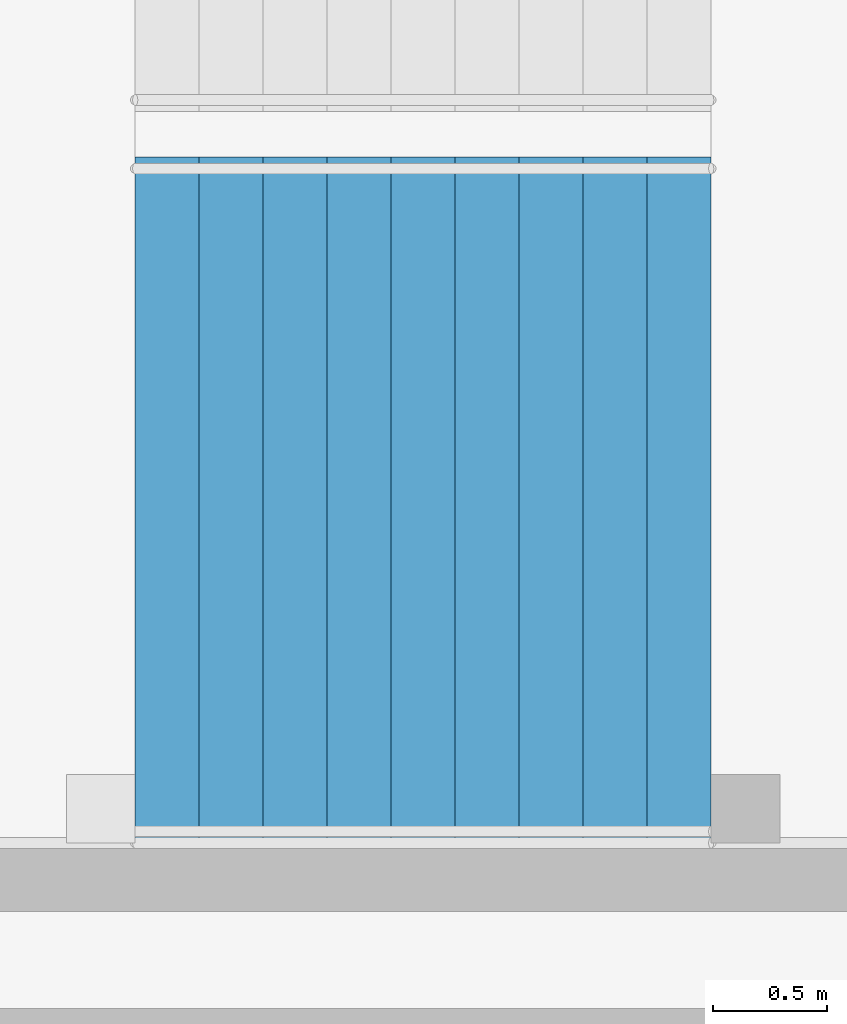
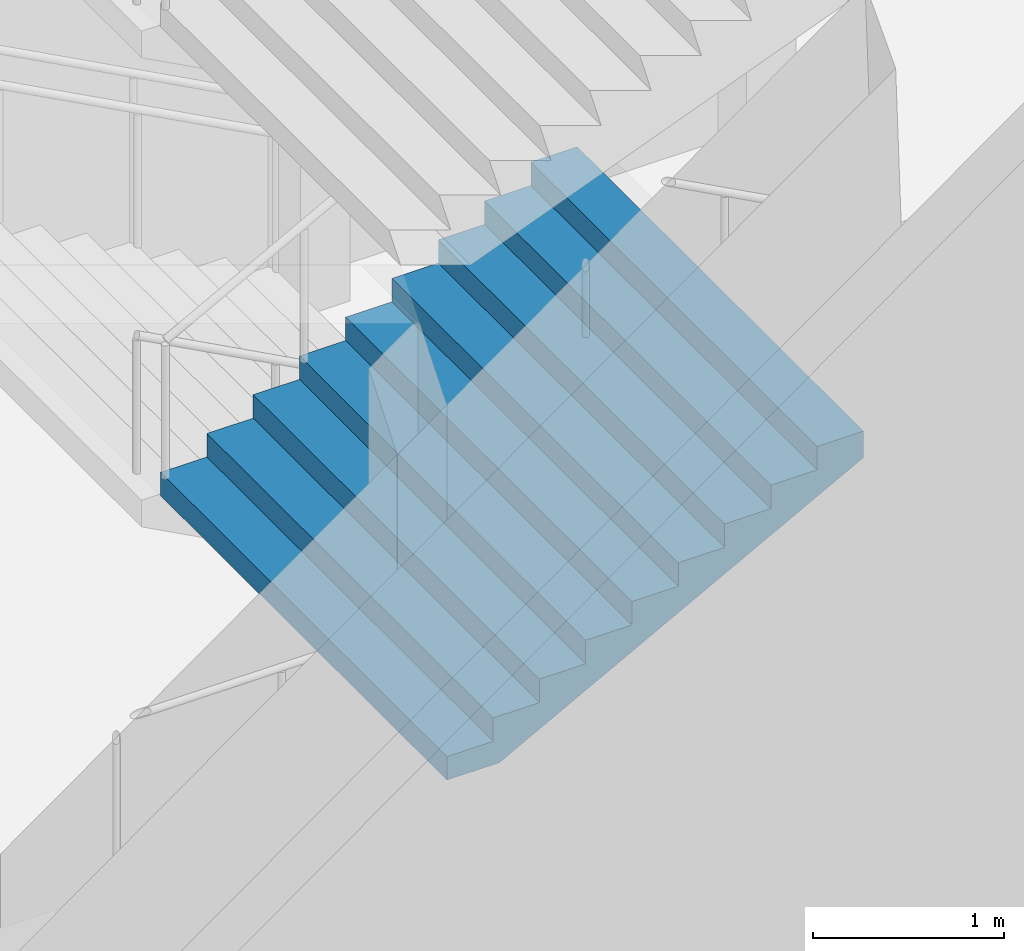
# One storey, part 80 of 100: 1 stair flight, 1 element without a shape of its own.
"""IFC4 building model written with IfcOpenShell, lengths in metres."""

from ifc_helpers import new_model, si_unit, direction, frame, origin, place, context, subcontext, project, spatial, triangles, material, type_object, element, aggregate, save


model = new_model("IFC4")

# Units and contexts
model_context = context("Model", 3, precision=1e-05, world=origin(), true_north=direction((0.0, 1.0)))
body_context = subcontext(model_context, "Body", "Model", "MODEL_VIEW")
ifc_project = project(units=[si_unit("LENGTHUNIT", "METRE"), si_unit("AREAUNIT", "SQUARE_METRE"), si_unit("VOLUMEUNIT", "CUBIC_METRE"), si_unit("PLANEANGLEUNIT", "RADIAN"), si_unit("MASSUNIT", "GRAM", prefix="KILO")], contexts=[model_context])

# Site, building, storey
site_placement = place(None, origin())
site = spatial("IfcSite", under=ifc_project, at=site_placement, CompositionType="ELEMENT")
building_placement = place(site_placement, origin())
building = spatial("IfcBuilding", under=site, at=building_placement, Name="Hakoniwa Tower and Hamabe Station Hall", CompositionType="ELEMENT")
storey_placement = place(building_placement, frame((0.0, 0.0, 9.0)))
storey = spatial("IfcBuildingStorey", under=building, at=storey_placement, Name="L02", CompositionType="ELEMENT", Elevation=9.0)

# Stair, stair flight
ifc_material_1 = material(Name="Concrete C40", Category="concrete")
stair_type = type_object("IfcStairType", Name="STAIR 3000 10X150", PredefinedType="HALF_TURN_STAIR", material=ifc_material_1)
stair_placement = place(storey_placement, origin())
stair = element("IfcStair", 1, at=stair_placement, inside=storey, type_object=stair_type, Name="Platform stair 1 L02-L03", PredefinedType="HALF_TURN_STAIR")
ifc_material_2 = material(Name="Concrete C40", Category="concrete")
stair_flight_type = type_object("IfcStairFlightType", Name="STAIR FLIGHT 3000", PredefinedType="STRAIGHT", material=ifc_material_2)
stair_flight_placement = place(storey_placement, frame((148.550048828125, -5.5, 1.5), z_axis=(0.0, 0.0, 1.0), x_axis=(1.0, 0.0, 0.0)))
stair_flight = element("IfcStairFlight", 2, at=stair_flight_placement, type_object=stair_flight_type, Name="PA1 flight 2", NumberOfRisers=10, NumberOfTreads=9, PredefinedType="STRAIGHT", RiserHeight=0.15, TreadLength=0.28, context=body_context, shape_type="Tessellation", body=[
    triangles([(0.0, 1.5, 0.0), (0.280029296875, 1.5, 0.0), (0.3173828125, 1.5, 0.0), (0.56005859375, 1.5, 0.1298828125), (0.840087890625, 1.5, 0.280029296875), (1.1201171875, 1.5, 0.429931640625), (1.39990234375, 1.5, 0.579833984375), (1.679931640625, 1.5, 0.72998046875), (1.9599609375, 1.5, 0.8798828125), (2.239990234375, 1.5, 1.030029296875), (2.52001953125, 1.5, 1.179931640625), (2.52001953125, 1.5, 1.35009765625), (2.239990234375, 1.5, 1.35009765625), (2.239990234375, 1.5, 1.199951171875), (1.9599609375, 1.5, 1.199951171875), (1.9599609375, 1.5, 1.050048828125), (1.679931640625, 1.5, 1.050048828125), (1.679931640625, 1.5, 0.89990234375), (1.39990234375, 1.5, 0.89990234375), (1.39990234375, 1.5, 0.75), (1.1201171875, 1.5, 0.75), (1.1201171875, 1.5, 0.60009765625), (0.840087890625, 1.5, 0.60009765625), (0.840087890625, 1.5, 0.449951171875), (0.56005859375, 1.5, 0.449951171875), (0.56005859375, 1.5, 0.300048828125), (0.3173828125, 1.5, 0.300048828125), (0.280029296875, 1.5, 0.300048828125), (0.280029296875, 1.5, 0.14990234375), (0.0, 1.5, 0.14990234375), (0.0, 0.06005859375, 0.0), (0.280029296875, 0.06005859375, 0.0), (0.3173828125, 0.06005859375, 0.0), (0.56005859375, 0.06005859375, 0.1298828125), (0.840087890625, 0.06005859375, 0.280029296875), (1.1201171875, 0.06005859375, 0.429931640625), (1.39990234375, 0.06005859375, 0.579833984375), (1.679931640625, 0.06005859375, 0.72998046875), (1.9599609375, 0.06005859375, 0.8798828125), (2.239990234375, 0.06005859375, 1.030029296875), (2.52001953125, 0.06005859375, 1.179931640625), (2.52001953125, 0.06005859375, 1.35009765625), (2.239990234375, 0.06005859375, 1.35009765625), (2.239990234375, 0.06005859375, 1.199951171875), (1.9599609375, 0.06005859375, 1.199951171875), (1.9599609375, 0.06005859375, 1.050048828125), (1.679931640625, 0.06005859375, 1.050048828125), (1.679931640625, 0.06005859375, 0.89990234375), (1.39990234375, 0.06005859375, 0.89990234375), (1.39990234375, 0.06005859375, 0.75), (1.1201171875, 0.06005859375, 0.75), (1.1201171875, 0.06005859375, 0.60009765625), (0.840087890625, 0.06005859375, 0.60009765625), (0.840087890625, 0.06005859375, 0.449951171875), (0.56005859375, 0.06005859375, 0.449951171875), (0.56005859375, 0.06005859375, 0.300048828125), (0.3173828125, 0.06005859375, 0.300048828125), (0.280029296875, 0.06005859375, 0.300048828125), (0.280029296875, 0.06005859375, 0.14990234375), (0.0, 0.06005859375, 0.14990234375), (0.0, 0.049072265625, 0.0), (0.280029296875, 0.049072265625, 0.0), (0.3173828125, 0.049072265625, 0.0), (0.56005859375, 0.049072265625, 0.1298828125), (0.840087890625, 0.049072265625, 0.280029296875), (1.1201171875, 0.049072265625, 0.429931640625), (1.39990234375, 0.049072265625, 0.579833984375), (1.679931640625, 0.049072265625, 0.72998046875), (1.9599609375, 0.049072265625, 0.8798828125), (2.239990234375, 0.049072265625, 1.030029296875), (2.52001953125, 0.049072265625, 1.179931640625), (2.52001953125, 0.049072265625, 1.35009765625), (2.239990234375, 0.049072265625, 1.35009765625), (2.239990234375, 0.049072265625, 1.199951171875), (1.9599609375, 0.049072265625, 1.199951171875), (1.9599609375, 0.049072265625, 1.050048828125), (1.679931640625, 0.049072265625, 1.050048828125), (1.679931640625, 0.049072265625, 0.89990234375), (1.39990234375, 0.049072265625, 0.89990234375), (1.39990234375, 0.049072265625, 0.75), (1.1201171875, 0.049072265625, 0.75), (1.1201171875, 0.049072265625, 0.60009765625), (0.840087890625, 0.049072265625, 0.60009765625), (0.840087890625, 0.049072265625, 0.449951171875), (0.56005859375, 0.049072265625, 0.449951171875), (0.56005859375, 0.049072265625, 0.300048828125), (0.3173828125, 0.049072265625, 0.300048828125), (0.280029296875, 0.049072265625, 0.300048828125), (0.280029296875, 0.049072265625, 0.14990234375), (0.0, 0.049072265625, 0.14990234375), (0.0, 0.0380859375, 0.0), (0.280029296875, 0.0380859375, 0.0), (0.3173828125, 0.0380859375, 0.0), (0.56005859375, 0.0380859375, 0.1298828125), (0.840087890625, 0.0380859375, 0.280029296875), (1.1201171875, 0.0380859375, 0.429931640625), (1.39990234375, 0.0380859375, 0.579833984375), (1.679931640625, 0.0380859375, 0.72998046875), (1.9599609375, 0.0380859375, 0.8798828125), (2.239990234375, 0.0380859375, 1.030029296875), (2.52001953125, 0.0380859375, 1.179931640625), (2.52001953125, 0.0380859375, 1.35009765625), (2.239990234375, 0.0380859375, 1.35009765625), (2.239990234375, 0.0380859375, 1.199951171875), (1.9599609375, 0.0380859375, 1.199951171875), (1.9599609375, 0.0380859375, 1.050048828125), (1.679931640625, 0.0380859375, 1.050048828125), (1.679931640625, 0.0380859375, 0.89990234375), (1.39990234375, 0.0380859375, 0.89990234375), (1.39990234375, 0.0380859375, 0.75), (1.1201171875, 0.0380859375, 0.75), (1.1201171875, 0.0380859375, 0.60009765625), (0.840087890625, 0.0380859375, 0.60009765625), (0.840087890625, 0.0380859375, 0.449951171875), (0.56005859375, 0.0380859375, 0.449951171875), (0.56005859375, 0.0380859375, 0.300048828125), (0.3173828125, 0.0380859375, 0.300048828125), (0.280029296875, 0.0380859375, 0.300048828125), (0.280029296875, 0.0380859375, 0.14990234375), (0.0, 0.0380859375, 0.14990234375), (0.0, 0.02734375, 0.0), (0.280029296875, 0.02734375, 0.0), (0.3173828125, 0.02734375, 0.0), (0.56005859375, 0.02734375, 0.1298828125), (0.840087890625, 0.02734375, 0.280029296875), (1.1201171875, 0.02734375, 0.429931640625), (1.39990234375, 0.02734375, 0.579833984375), (1.679931640625, 0.02734375, 0.72998046875), (1.9599609375, 0.02734375, 0.8798828125), (2.239990234375, 0.02734375, 1.030029296875), (2.52001953125, 0.02734375, 1.179931640625), (2.52001953125, 0.02734375, 1.35009765625), (2.239990234375, 0.02734375, 1.35009765625), (2.239990234375, 0.02734375, 1.199951171875), (1.9599609375, 0.02734375, 1.199951171875), (1.9599609375, 0.02734375, 1.050048828125), (1.679931640625, 0.02734375, 1.050048828125), (1.679931640625, 0.02734375, 0.89990234375), (1.39990234375, 0.02734375, 0.89990234375), (1.39990234375, 0.02734375, 0.75), (1.1201171875, 0.02734375, 0.75), (1.1201171875, 0.02734375, 0.60009765625), (0.840087890625, 0.02734375, 0.60009765625), (0.840087890625, 0.02734375, 0.449951171875), (0.56005859375, 0.02734375, 0.449951171875), (0.56005859375, 0.02734375, 0.300048828125), (0.3173828125, 0.02734375, 0.300048828125), (0.280029296875, 0.02734375, 0.300048828125), (0.280029296875, 0.02734375, 0.14990234375), (0.0, 0.02734375, 0.14990234375), (0.0, 0.016357421875, 0.0), (0.280029296875, 0.016357421875, 0.0), (0.3173828125, 0.016357421875, 0.0), (0.56005859375, 0.016357421875, 0.1298828125), (0.840087890625, 0.016357421875, 0.280029296875), (1.1201171875, 0.016357421875, 0.429931640625), (1.39990234375, 0.016357421875, 0.579833984375), (1.679931640625, 0.016357421875, 0.72998046875), (1.9599609375, 0.016357421875, 0.8798828125), (2.239990234375, 0.016357421875, 1.030029296875), (2.52001953125, 0.016357421875, 1.179931640625), (2.52001953125, 0.016357421875, 1.35009765625), (2.239990234375, 0.016357421875, 1.35009765625), (2.239990234375, 0.016357421875, 1.199951171875), (1.9599609375, 0.016357421875, 1.199951171875), (1.9599609375, 0.016357421875, 1.050048828125), (1.679931640625, 0.016357421875, 1.050048828125), (1.679931640625, 0.016357421875, 0.89990234375), (1.39990234375, 0.016357421875, 0.89990234375), (1.39990234375, 0.016357421875, 0.75), (1.1201171875, 0.016357421875, 0.75), (1.1201171875, 0.016357421875, 0.60009765625), (0.840087890625, 0.016357421875, 0.60009765625), (0.840087890625, 0.016357421875, 0.449951171875), (0.56005859375, 0.016357421875, 0.449951171875), (0.56005859375, 0.016357421875, 0.300048828125), (0.3173828125, 0.016357421875, 0.300048828125), (0.280029296875, 0.016357421875, 0.300048828125), (0.280029296875, 0.016357421875, 0.14990234375), (0.0, 0.016357421875, 0.14990234375), (0.0, 0.00537109375, 0.0), (0.280029296875, 0.00537109375, 0.0), (0.3173828125, 0.00537109375, 0.0), (0.56005859375, 0.00537109375, 0.1298828125), (0.840087890625, 0.00537109375, 0.280029296875), (1.1201171875, 0.00537109375, 0.429931640625), (1.39990234375, 0.00537109375, 0.579833984375), (1.679931640625, 0.00537109375, 0.72998046875), (1.9599609375, 0.00537109375, 0.8798828125), (2.239990234375, 0.00537109375, 1.030029296875), (2.52001953125, 0.00537109375, 1.179931640625), (2.52001953125, 0.00537109375, 1.35009765625), (2.239990234375, 0.00537109375, 1.35009765625), (2.239990234375, 0.00537109375, 1.199951171875), (1.9599609375, 0.00537109375, 1.199951171875), (1.9599609375, 0.00537109375, 1.050048828125), (1.679931640625, 0.00537109375, 1.050048828125), (1.679931640625, 0.00537109375, 0.89990234375), (1.39990234375, 0.00537109375, 0.89990234375), (1.39990234375, 0.00537109375, 0.75), (1.1201171875, 0.00537109375, 0.75), (1.1201171875, 0.00537109375, 0.60009765625), (0.840087890625, 0.00537109375, 0.60009765625), (0.840087890625, 0.00537109375, 0.449951171875), (0.56005859375, 0.00537109375, 0.449951171875), (0.56005859375, 0.00537109375, 0.300048828125), (0.3173828125, 0.00537109375, 0.300048828125), (0.280029296875, 0.00537109375, 0.300048828125), (0.280029296875, 0.00537109375, 0.14990234375), (0.0, 0.00537109375, 0.14990234375), (0.0, -0.00537109375, 0.0), (0.280029296875, -0.00537109375, 0.0), (0.3173828125, -0.00537109375, 0.0), (0.56005859375, -0.00537109375, 0.1298828125), (0.840087890625, -0.00537109375, 0.280029296875), (1.1201171875, -0.00537109375, 0.429931640625), (1.39990234375, -0.00537109375, 0.579833984375), (1.679931640625, -0.00537109375, 0.72998046875), (1.9599609375, -0.00537109375, 0.8798828125), (2.239990234375, -0.00537109375, 1.030029296875), (2.52001953125, -0.00537109375, 1.179931640625), (2.52001953125, -0.00537109375, 1.35009765625), (2.239990234375, -0.00537109375, 1.35009765625), (2.239990234375, -0.00537109375, 1.199951171875), (1.9599609375, -0.00537109375, 1.199951171875), (1.9599609375, -0.00537109375, 1.050048828125), (1.679931640625, -0.00537109375, 1.050048828125), (1.679931640625, -0.00537109375, 0.89990234375), (1.39990234375, -0.00537109375, 0.89990234375), (1.39990234375, -0.00537109375, 0.75), (1.1201171875, -0.00537109375, 0.75), (1.1201171875, -0.00537109375, 0.60009765625), (0.840087890625, -0.00537109375, 0.60009765625), (0.840087890625, -0.00537109375, 0.449951171875), (0.56005859375, -0.00537109375, 0.449951171875), (0.56005859375, -0.00537109375, 0.300048828125), (0.3173828125, -0.00537109375, 0.300048828125), (0.280029296875, -0.00537109375, 0.300048828125), (0.280029296875, -0.00537109375, 0.14990234375), (0.0, -0.00537109375, 0.14990234375), (0.0, -0.016357421875, 0.0), (0.280029296875, -0.016357421875, 0.0), (0.3173828125, -0.016357421875, 0.0), (0.56005859375, -0.016357421875, 0.1298828125), (0.840087890625, -0.016357421875, 0.280029296875), (1.1201171875, -0.016357421875, 0.429931640625), (1.39990234375, -0.016357421875, 0.579833984375), (1.679931640625, -0.016357421875, 0.72998046875), (1.9599609375, -0.016357421875, 0.8798828125), (2.239990234375, -0.016357421875, 1.030029296875), (2.52001953125, -0.016357421875, 1.179931640625), (2.52001953125, -0.016357421875, 1.35009765625), (2.239990234375, -0.016357421875, 1.35009765625), (2.239990234375, -0.016357421875, 1.199951171875), (1.9599609375, -0.016357421875, 1.199951171875), (1.9599609375, -0.016357421875, 1.050048828125), (1.679931640625, -0.016357421875, 1.050048828125), (1.679931640625, -0.016357421875, 0.89990234375), (1.39990234375, -0.016357421875, 0.89990234375), (1.39990234375, -0.016357421875, 0.75), (1.1201171875, -0.016357421875, 0.75), (1.1201171875, -0.016357421875, 0.60009765625), (0.840087890625, -0.016357421875, 0.60009765625), (0.840087890625, -0.016357421875, 0.449951171875), (0.56005859375, -0.016357421875, 0.449951171875), (0.56005859375, -0.016357421875, 0.300048828125), (0.3173828125, -0.016357421875, 0.300048828125), (0.280029296875, -0.016357421875, 0.300048828125), (0.280029296875, -0.016357421875, 0.14990234375), (0.0, -0.016357421875, 0.14990234375), (0.0, -0.02734375, 0.0), (0.280029296875, -0.02734375, 0.0), (0.3173828125, -0.02734375, 0.0), (0.56005859375, -0.02734375, 0.1298828125), (0.840087890625, -0.02734375, 0.280029296875), (1.1201171875, -0.02734375, 0.429931640625), (1.39990234375, -0.02734375, 0.579833984375), (1.679931640625, -0.02734375, 0.72998046875), (1.9599609375, -0.02734375, 0.8798828125), (2.239990234375, -0.02734375, 1.030029296875), (2.52001953125, -0.02734375, 1.179931640625), (2.52001953125, -0.02734375, 1.35009765625), (2.239990234375, -0.02734375, 1.35009765625), (2.239990234375, -0.02734375, 1.199951171875), (1.9599609375, -0.02734375, 1.199951171875), (1.9599609375, -0.02734375, 1.050048828125), (1.679931640625, -0.02734375, 1.050048828125), (1.679931640625, -0.02734375, 0.89990234375), (1.39990234375, -0.02734375, 0.89990234375), (1.39990234375, -0.02734375, 0.75), (1.1201171875, -0.02734375, 0.75), (1.1201171875, -0.02734375, 0.60009765625), (0.840087890625, -0.02734375, 0.60009765625), (0.840087890625, -0.02734375, 0.449951171875), (0.56005859375, -0.02734375, 0.449951171875), (0.56005859375, -0.02734375, 0.300048828125), (0.3173828125, -0.02734375, 0.300048828125), (0.280029296875, -0.02734375, 0.300048828125), (0.280029296875, -0.02734375, 0.14990234375), (0.0, -0.02734375, 0.14990234375), (0.0, -0.0380859375, 0.0), (0.280029296875, -0.0380859375, 0.0), (0.3173828125, -0.0380859375, 0.0), (0.56005859375, -0.0380859375, 0.1298828125), (0.840087890625, -0.0380859375, 0.280029296875), (1.1201171875, -0.0380859375, 0.429931640625), (1.39990234375, -0.0380859375, 0.579833984375), (1.679931640625, -0.0380859375, 0.72998046875), (1.9599609375, -0.0380859375, 0.8798828125), (2.239990234375, -0.0380859375, 1.030029296875), (2.52001953125, -0.0380859375, 1.179931640625), (2.52001953125, -0.0380859375, 1.35009765625), (2.239990234375, -0.0380859375, 1.35009765625), (2.239990234375, -0.0380859375, 1.199951171875), (1.9599609375, -0.0380859375, 1.199951171875), (1.9599609375, -0.0380859375, 1.050048828125), (1.679931640625, -0.0380859375, 1.050048828125), (1.679931640625, -0.0380859375, 0.89990234375), (1.39990234375, -0.0380859375, 0.89990234375), (1.39990234375, -0.0380859375, 0.75), (1.1201171875, -0.0380859375, 0.75), (1.1201171875, -0.0380859375, 0.60009765625), (0.840087890625, -0.0380859375, 0.60009765625), (0.840087890625, -0.0380859375, 0.449951171875), (0.56005859375, -0.0380859375, 0.449951171875), (0.56005859375, -0.0380859375, 0.300048828125), (0.3173828125, -0.0380859375, 0.300048828125), (0.280029296875, -0.0380859375, 0.300048828125), (0.280029296875, -0.0380859375, 0.14990234375), (0.0, -0.0380859375, 0.14990234375), (0.0, -0.049072265625, 0.0), (0.280029296875, -0.049072265625, 0.0), (0.3173828125, -0.049072265625, 0.0), (0.56005859375, -0.049072265625, 0.1298828125), (0.840087890625, -0.049072265625, 0.280029296875), (1.1201171875, -0.049072265625, 0.429931640625), (1.39990234375, -0.049072265625, 0.579833984375), (1.679931640625, -0.049072265625, 0.72998046875), (1.9599609375, -0.049072265625, 0.8798828125), (2.239990234375, -0.049072265625, 1.030029296875), (2.52001953125, -0.049072265625, 1.179931640625), (2.52001953125, -0.049072265625, 1.35009765625), (2.239990234375, -0.049072265625, 1.35009765625), (2.239990234375, -0.049072265625, 1.199951171875), (1.9599609375, -0.049072265625, 1.199951171875), (1.9599609375, -0.049072265625, 1.050048828125), (1.679931640625, -0.049072265625, 1.050048828125), (1.679931640625, -0.049072265625, 0.89990234375), (1.39990234375, -0.049072265625, 0.89990234375), (1.39990234375, -0.049072265625, 0.75), (1.1201171875, -0.049072265625, 0.75), (1.1201171875, -0.049072265625, 0.60009765625), (0.840087890625, -0.049072265625, 0.60009765625), (0.840087890625, -0.049072265625, 0.449951171875), (0.56005859375, -0.049072265625, 0.449951171875), (0.56005859375, -0.049072265625, 0.300048828125), (0.3173828125, -0.049072265625, 0.300048828125), (0.280029296875, -0.049072265625, 0.300048828125), (0.280029296875, -0.049072265625, 0.14990234375), (0.0, -0.049072265625, 0.14990234375), (0.0, -0.06005859375, 0.0), (0.280029296875, -0.06005859375, 0.0), (0.3173828125, -0.06005859375, 0.0), (0.56005859375, -0.06005859375, 0.1298828125), (0.840087890625, -0.06005859375, 0.280029296875), (1.1201171875, -0.06005859375, 0.429931640625), (1.39990234375, -0.06005859375, 0.579833984375), (1.679931640625, -0.06005859375, 0.72998046875), (1.9599609375, -0.06005859375, 0.8798828125), (2.239990234375, -0.06005859375, 1.030029296875), (2.52001953125, -0.06005859375, 1.179931640625), (2.52001953125, -0.06005859375, 1.35009765625), (2.239990234375, -0.06005859375, 1.35009765625), (2.239990234375, -0.06005859375, 1.199951171875), (1.9599609375, -0.06005859375, 1.199951171875), (1.9599609375, -0.06005859375, 1.050048828125), (1.679931640625, -0.06005859375, 1.050048828125), (1.679931640625, -0.06005859375, 0.89990234375), (1.39990234375, -0.06005859375, 0.89990234375), (1.39990234375, -0.06005859375, 0.75), (1.1201171875, -0.06005859375, 0.75), (1.1201171875, -0.06005859375, 0.60009765625), (0.840087890625, -0.06005859375, 0.60009765625), (0.840087890625, -0.06005859375, 0.449951171875), (0.56005859375, -0.06005859375, 0.449951171875), (0.56005859375, -0.06005859375, 0.300048828125), (0.3173828125, -0.06005859375, 0.300048828125), (0.280029296875, -0.06005859375, 0.300048828125), (0.280029296875, -0.06005859375, 0.14990234375), (0.0, -0.06005859375, 0.14990234375), (0.0, -1.5, 0.0), (0.280029296875, -1.5, 0.0), (0.3173828125, -1.5, 0.0), (0.56005859375, -1.5, 0.1298828125), (0.840087890625, -1.5, 0.280029296875), (1.1201171875, -1.5, 0.429931640625), (1.39990234375, -1.5, 0.579833984375), (1.679931640625, -1.5, 0.72998046875), (1.9599609375, -1.5, 0.8798828125), (2.239990234375, -1.5, 1.030029296875), (2.52001953125, -1.5, 1.179931640625), (2.52001953125, -1.5, 1.35009765625), (2.239990234375, -1.5, 1.35009765625), (2.239990234375, -1.5, 1.199951171875), (1.9599609375, -1.5, 1.199951171875), (1.9599609375, -1.5, 1.050048828125), (1.679931640625, -1.5, 1.050048828125), (1.679931640625, -1.5, 0.89990234375), (1.39990234375, -1.5, 0.89990234375), (1.39990234375, -1.5, 0.75), (1.1201171875, -1.5, 0.75), (1.1201171875, -1.5, 0.60009765625), (0.840087890625, -1.5, 0.60009765625), (0.840087890625, -1.5, 0.449951171875), (0.56005859375, -1.5, 0.449951171875), (0.56005859375, -1.5, 0.300048828125), (0.3173828125, -1.5, 0.300048828125), (0.280029296875, -1.5, 0.300048828125), (0.280029296875, -1.5, 0.14990234375), (0.0, -1.5, 0.14990234375)], [[2, 30, 29], [392, 419, 420], [2, 1, 30], [392, 420, 391], [3, 28, 27], [393, 417, 418], [3, 29, 28], [393, 418, 419], [3, 2, 29], [393, 419, 392], [4, 27, 26], [394, 416, 417], [4, 3, 27], [394, 417, 393], [5, 25, 24], [395, 414, 415], [5, 26, 25], [395, 415, 416], [5, 4, 26], [395, 416, 394], [6, 23, 22], [396, 412, 413], [6, 24, 23], [396, 413, 414], [6, 5, 24], [396, 414, 395], [7, 21, 20], [397, 410, 411], [7, 22, 21], [397, 411, 412], [7, 6, 22], [397, 412, 396], [8, 19, 18], [398, 408, 409], [8, 20, 19], [398, 409, 410], [8, 7, 20], [398, 410, 397], [9, 17, 16], [399, 406, 407], [9, 18, 17], [399, 407, 408], [9, 8, 18], [399, 408, 398], [10, 15, 14], [400, 404, 405], [10, 16, 15], [400, 405, 406], [10, 9, 16], [400, 406, 399], [11, 13, 12], [401, 402, 403], [11, 14, 13], [401, 403, 404], [11, 10, 14], [401, 404, 400], [1, 2, 32], [1, 32, 31], [31, 32, 62], [31, 62, 61], [61, 62, 92], [61, 92, 91], [91, 92, 122], [91, 122, 121], [121, 122, 152], [121, 152, 151], [151, 152, 182], [151, 182, 181], [181, 182, 212], [181, 212, 211], [211, 212, 242], [211, 242, 241], [241, 242, 272], [241, 272, 271], [271, 272, 302], [271, 302, 301], [301, 302, 332], [301, 332, 331], [331, 332, 362], [331, 362, 361], [361, 362, 392], [361, 392, 391], [2, 3, 33], [2, 33, 32], [32, 33, 63], [32, 63, 62], [62, 63, 93], [62, 93, 92], [92, 93, 123], [92, 123, 122], [122, 123, 153], [122, 153, 152], [152, 153, 183], [152, 183, 182], [182, 183, 213], [182, 213, 212], [212, 213, 243], [212, 243, 242], [242, 243, 273], [242, 273, 272], [272, 273, 303], [272, 303, 302], [302, 303, 333], [302, 333, 332], [332, 333, 363], [332, 363, 362], [362, 363, 393], [362, 393, 392], [3, 4, 34], [3, 34, 33], [33, 34, 64], [33, 64, 63], [63, 64, 94], [63, 94, 93], [93, 94, 124], [93, 124, 123], [123, 124, 154], [123, 154, 153], [153, 154, 184], [153, 184, 183], [183, 184, 214], [183, 214, 213], [213, 214, 244], [213, 244, 243], [243, 244, 274], [243, 274, 273], [273, 274, 304], [273, 304, 303], [303, 304, 334], [303, 334, 333], [333, 334, 364], [333, 364, 363], [363, 364, 394], [363, 394, 393], [4, 5, 35], [4, 35, 34], [34, 35, 65], [34, 65, 64], [64, 65, 95], [64, 95, 94], [94, 95, 125], [94, 125, 124], [124, 125, 155], [124, 155, 154], [154, 155, 185], [154, 185, 184], [184, 185, 215], [184, 215, 214], [214, 215, 245], [214, 245, 244], [244, 245, 275], [244, 275, 274], [274, 275, 305], [274, 305, 304], [304, 305, 335], [304, 335, 334], [334, 335, 365], [334, 365, 364], [364, 365, 395], [364, 395, 394], [5, 6, 36], [5, 36, 35], [35, 36, 66], [35, 66, 65], [65, 66, 96], [65, 96, 95], [95, 96, 126], [95, 126, 125], [125, 126, 156], [125, 156, 155], [155, 156, 186], [155, 186, 185], [185, 186, 216], [185, 216, 215], [215, 216, 246], [215, 246, 245], [245, 246, 276], [245, 276, 275], [275, 276, 306], [275, 306, 305], [305, 306, 336], [305, 336, 335], [335, 336, 366], [335, 366, 365], [365, 366, 396], [365, 396, 395], [6, 7, 37], [6, 37, 36], [36, 37, 67], [36, 67, 66], [66, 67, 97], [66, 97, 96], [96, 97, 127], [96, 127, 126], [126, 127, 157], [126, 157, 156], [156, 157, 187], [156, 187, 186], [186, 187, 217], [186, 217, 216], [216, 217, 247], [216, 247, 246], [246, 247, 277], [246, 277, 276], [276, 277, 307], [276, 307, 306], [306, 307, 337], [306, 337, 336], [336, 337, 367], [336, 367, 366], [366, 367, 397], [366, 397, 396], [7, 8, 38], [7, 38, 37], [37, 38, 68], [37, 68, 67], [67, 68, 98], [67, 98, 97], [97, 98, 128], [97, 128, 127], [127, 128, 158], [127, 158, 157], [157, 158, 188], [157, 188, 187], [187, 188, 218], [187, 218, 217], [217, 218, 248], [217, 248, 247], [247, 248, 278], [247, 278, 277], [277, 278, 308], [277, 308, 307], [307, 308, 338], [307, 338, 337], [337, 338, 368], [337, 368, 367], [367, 368, 398], [367, 398, 397], [8, 9, 39], [8, 39, 38], [38, 39, 69], [38, 69, 68], [68, 69, 99], [68, 99, 98], [98, 99, 129], [98, 129, 128], [128, 129, 159], [128, 159, 158], [158, 159, 189], [158, 189, 188], [188, 189, 219], [188, 219, 218], [218, 219, 249], [218, 249, 248], [248, 249, 279], [248, 279, 278], [278, 279, 309], [278, 309, 308], [308, 309, 339], [308, 339, 338], [338, 339, 369], [338, 369, 368], [368, 369, 399], [368, 399, 398], [9, 10, 40], [9, 40, 39], [39, 40, 70], [39, 70, 69], [69, 70, 100], [69, 100, 99], [99, 100, 130], [99, 130, 129], [129, 130, 160], [129, 160, 159], [159, 160, 190], [159, 190, 189], [189, 190, 220], [189, 220, 219], [219, 220, 250], [219, 250, 249], [249, 250, 280], [249, 280, 279], [279, 280, 310], [279, 310, 309], [309, 310, 340], [309, 340, 339], [339, 340, 370], [339, 370, 369], [369, 370, 400], [369, 400, 399], [10, 11, 41], [10, 41, 40], [40, 41, 71], [40, 71, 70], [70, 71, 101], [70, 101, 100], [100, 101, 131], [100, 131, 130], [130, 131, 161], [130, 161, 160], [160, 161, 191], [160, 191, 190], [190, 191, 221], [190, 221, 220], [220, 221, 251], [220, 251, 250], [250, 251, 281], [250, 281, 280], [280, 281, 311], [280, 311, 310], [310, 311, 341], [310, 341, 340], [340, 341, 371], [340, 371, 370], [370, 371, 401], [370, 401, 400], [11, 12, 42], [11, 42, 41], [41, 42, 72], [41, 72, 71], [71, 72, 102], [71, 102, 101], [101, 102, 132], [101, 132, 131], [131, 132, 162], [131, 162, 161], [161, 162, 192], [161, 192, 191], [191, 192, 222], [191, 222, 221], [221, 222, 252], [221, 252, 251], [251, 252, 282], [251, 282, 281], [281, 282, 312], [281, 312, 311], [311, 312, 342], [311, 342, 341], [341, 342, 372], [341, 372, 371], [371, 372, 402], [371, 402, 401], [12, 13, 43], [12, 43, 42], [42, 43, 73], [42, 73, 72], [72, 73, 103], [72, 103, 102], [102, 103, 133], [102, 133, 132], [132, 133, 163], [132, 163, 162], [162, 163, 193], [162, 193, 192], [192, 193, 223], [192, 223, 222], [222, 223, 253], [222, 253, 252], [252, 253, 283], [252, 283, 282], [282, 283, 313], [282, 313, 312], [312, 313, 343], [312, 343, 342], [342, 343, 373], [342, 373, 372], [372, 373, 403], [372, 403, 402], [13, 14, 44], [13, 44, 43], [43, 44, 74], [43, 74, 73], [73, 74, 104], [73, 104, 103], [103, 104, 134], [103, 134, 133], [133, 134, 164], [133, 164, 163], [163, 164, 194], [163, 194, 193], [193, 194, 224], [193, 224, 223], [223, 224, 254], [223, 254, 253], [253, 254, 284], [253, 284, 283], [283, 284, 314], [283, 314, 313], [313, 314, 344], [313, 344, 343], [343, 344, 374], [343, 374, 373], [373, 374, 404], [373, 404, 403], [14, 15, 45], [14, 45, 44], [44, 45, 75], [44, 75, 74], [74, 75, 105], [74, 105, 104], [104, 105, 135], [104, 135, 134], [134, 135, 165], [134, 165, 164], [164, 165, 195], [164, 195, 194], [194, 195, 225], [194, 225, 224], [224, 225, 255], [224, 255, 254], [254, 255, 285], [254, 285, 284], [284, 285, 315], [284, 315, 314], [314, 315, 345], [314, 345, 344], [344, 345, 375], [344, 375, 374], [374, 375, 405], [374, 405, 404], [15, 16, 46], [15, 46, 45], [45, 46, 76], [45, 76, 75], [75, 76, 106], [75, 106, 105], [105, 106, 136], [105, 136, 135], [135, 136, 166], [135, 166, 165], [165, 166, 196], [165, 196, 195], [195, 196, 226], [195, 226, 225], [225, 226, 256], [225, 256, 255], [255, 256, 286], [255, 286, 285], [285, 286, 316], [285, 316, 315], [315, 316, 346], [315, 346, 345], [345, 346, 376], [345, 376, 375], [375, 376, 406], [375, 406, 405], [16, 17, 47], [16, 47, 46], [46, 47, 77], [46, 77, 76], [76, 77, 107], [76, 107, 106], [106, 107, 137], [106, 137, 136], [136, 137, 167], [136, 167, 166], [166, 167, 197], [166, 197, 196], [196, 197, 227], [196, 227, 226], [226, 227, 257], [226, 257, 256], [256, 257, 287], [256, 287, 286], [286, 287, 317], [286, 317, 316], [316, 317, 347], [316, 347, 346], [346, 347, 377], [346, 377, 376], [376, 377, 407], [376, 407, 406], [17, 18, 48], [17, 48, 47], [47, 48, 78], [47, 78, 77], [77, 78, 108], [77, 108, 107], [107, 108, 138], [107, 138, 137], [137, 138, 168], [137, 168, 167], [167, 168, 198], [167, 198, 197], [197, 198, 228], [197, 228, 227], [227, 228, 258], [227, 258, 257], [257, 258, 288], [257, 288, 287], [287, 288, 318], [287, 318, 317], [317, 318, 348], [317, 348, 347], [347, 348, 378], [347, 378, 377], [377, 378, 408], [377, 408, 407], [18, 19, 49], [18, 49, 48], [48, 49, 79], [48, 79, 78], [78, 79, 109], [78, 109, 108], [108, 109, 139], [108, 139, 138], [138, 139, 169], [138, 169, 168], [168, 169, 199], [168, 199, 198], [198, 199, 229], [198, 229, 228], [228, 229, 259], [228, 259, 258], [258, 259, 289], [258, 289, 288], [288, 289, 319], [288, 319, 318], [318, 319, 349], [318, 349, 348], [348, 349, 379], [348, 379, 378], [378, 379, 409], [378, 409, 408], [19, 20, 50], [19, 50, 49], [49, 50, 80], [49, 80, 79], [79, 80, 110], [79, 110, 109], [109, 110, 140], [109, 140, 139], [139, 140, 170], [139, 170, 169], [169, 170, 200], [169, 200, 199], [199, 200, 230], [199, 230, 229], [229, 230, 260], [229, 260, 259], [259, 260, 290], [259, 290, 289], [289, 290, 320], [289, 320, 319], [319, 320, 350], [319, 350, 349], [349, 350, 380], [349, 380, 379], [379, 380, 410], [379, 410, 409], [20, 21, 51], [20, 51, 50], [50, 51, 81], [50, 81, 80], [80, 81, 111], [80, 111, 110], [110, 111, 141], [110, 141, 140], [140, 141, 171], [140, 171, 170], [170, 171, 201], [170, 201, 200], [200, 201, 231], [200, 231, 230], [230, 231, 261], [230, 261, 260], [260, 261, 291], [260, 291, 290], [290, 291, 321], [290, 321, 320], [320, 321, 351], [320, 351, 350], [350, 351, 381], [350, 381, 380], [380, 381, 411], [380, 411, 410], [21, 22, 52], [21, 52, 51], [51, 52, 82], [51, 82, 81], [81, 82, 112], [81, 112, 111], [111, 112, 142], [111, 142, 141], [141, 142, 172], [141, 172, 171], [171, 172, 202], [171, 202, 201], [201, 202, 232], [201, 232, 231], [231, 232, 262], [231, 262, 261], [261, 262, 292], [261, 292, 291], [291, 292, 322], [291, 322, 321], [321, 322, 352], [321, 352, 351], [351, 352, 382], [351, 382, 381], [381, 382, 412], [381, 412, 411], [22, 23, 53], [22, 53, 52], [52, 53, 83], [52, 83, 82], [82, 83, 113], [82, 113, 112], [112, 113, 143], [112, 143, 142], [142, 143, 173], [142, 173, 172], [172, 173, 203], [172, 203, 202], [202, 203, 233], [202, 233, 232], [232, 233, 263], [232, 263, 262], [262, 263, 293], [262, 293, 292], [292, 293, 323], [292, 323, 322], [322, 323, 353], [322, 353, 352], [352, 353, 383], [352, 383, 382], [382, 383, 413], [382, 413, 412], [23, 24, 54], [23, 54, 53], [53, 54, 84], [53, 84, 83], [83, 84, 114], [83, 114, 113], [113, 114, 144], [113, 144, 143], [143, 144, 174], [143, 174, 173], [173, 174, 204], [173, 204, 203], [203, 204, 234], [203, 234, 233], [233, 234, 264], [233, 264, 263], [263, 264, 294], [263, 294, 293], [293, 294, 324], [293, 324, 323], [323, 324, 354], [323, 354, 353], [353, 354, 384], [353, 384, 383], [383, 384, 414], [383, 414, 413], [24, 25, 55], [24, 55, 54], [54, 55, 85], [54, 85, 84], [84, 85, 115], [84, 115, 114], [114, 115, 145], [114, 145, 144], [144, 145, 175], [144, 175, 174], [174, 175, 205], [174, 205, 204], [204, 205, 235], [204, 235, 234], [234, 235, 265], [234, 265, 264], [264, 265, 295], [264, 295, 294], [294, 295, 325], [294, 325, 324], [324, 325, 355], [324, 355, 354], [354, 355, 385], [354, 385, 384], [384, 385, 415], [384, 415, 414], [25, 26, 56], [25, 56, 55], [55, 56, 86], [55, 86, 85], [85, 86, 116], [85, 116, 115], [115, 116, 146], [115, 146, 145], [145, 146, 176], [145, 176, 175], [175, 176, 206], [175, 206, 205], [205, 206, 236], [205, 236, 235], [235, 236, 266], [235, 266, 265], [265, 266, 296], [265, 296, 295], [295, 296, 326], [295, 326, 325], [325, 326, 356], [325, 356, 355], [355, 356, 386], [355, 386, 385], [385, 386, 416], [385, 416, 415], [26, 27, 57], [26, 57, 56], [56, 57, 87], [56, 87, 86], [86, 87, 117], [86, 117, 116], [116, 117, 147], [116, 147, 146], [146, 147, 177], [146, 177, 176], [176, 177, 207], [176, 207, 206], [206, 207, 237], [206, 237, 236], [236, 237, 267], [236, 267, 266], [266, 267, 297], [266, 297, 296], [296, 297, 327], [296, 327, 326], [326, 327, 357], [326, 357, 356], [356, 357, 387], [356, 387, 386], [386, 387, 417], [386, 417, 416], [27, 28, 58], [27, 58, 57], [57, 58, 88], [57, 88, 87], [87, 88, 118], [87, 118, 117], [117, 118, 148], [117, 148, 147], [147, 148, 178], [147, 178, 177], [177, 178, 208], [177, 208, 207], [207, 208, 238], [207, 238, 237], [237, 238, 268], [237, 268, 267], [267, 268, 298], [267, 298, 297], [297, 298, 328], [297, 328, 327], [327, 328, 358], [327, 358, 357], [357, 358, 388], [357, 388, 387], [387, 388, 418], [387, 418, 417], [28, 29, 59], [28, 59, 58], [58, 59, 89], [58, 89, 88], [88, 89, 119], [88, 119, 118], [118, 119, 149], [118, 149, 148], [148, 149, 179], [148, 179, 178], [178, 179, 209], [178, 209, 208], [208, 209, 239], [208, 239, 238], [238, 239, 269], [238, 269, 268], [268, 269, 299], [268, 299, 298], [298, 299, 329], [298, 329, 328], [328, 329, 359], [328, 359, 358], [358, 359, 389], [358, 389, 388], [388, 389, 419], [388, 419, 418], [29, 30, 60], [29, 60, 59], [59, 60, 90], [59, 90, 89], [89, 90, 120], [89, 120, 119], [119, 120, 150], [119, 150, 149], [149, 150, 180], [149, 180, 179], [179, 180, 210], [179, 210, 209], [209, 210, 240], [209, 240, 239], [239, 240, 270], [239, 270, 269], [269, 270, 300], [269, 300, 299], [299, 300, 330], [299, 330, 329], [329, 330, 360], [329, 360, 359], [359, 360, 390], [359, 390, 389], [389, 390, 420], [389, 420, 419], [30, 1, 31], [30, 31, 60], [60, 31, 61], [60, 61, 90], [90, 61, 91], [90, 91, 120], [120, 91, 121], [120, 121, 150], [150, 121, 151], [150, 151, 180], [180, 151, 181], [180, 181, 210], [210, 181, 211], [210, 211, 240], [240, 211, 241], [240, 241, 270], [270, 241, 271], [270, 271, 300], [300, 271, 301], [300, 301, 330], [330, 301, 331], [330, 331, 360], [360, 331, 361], [360, 361, 390], [390, 361, 391], [390, 391, 420]], closed=True),
])
aggregate(stair, [stair_flight])

save(model, "model.ifc")
